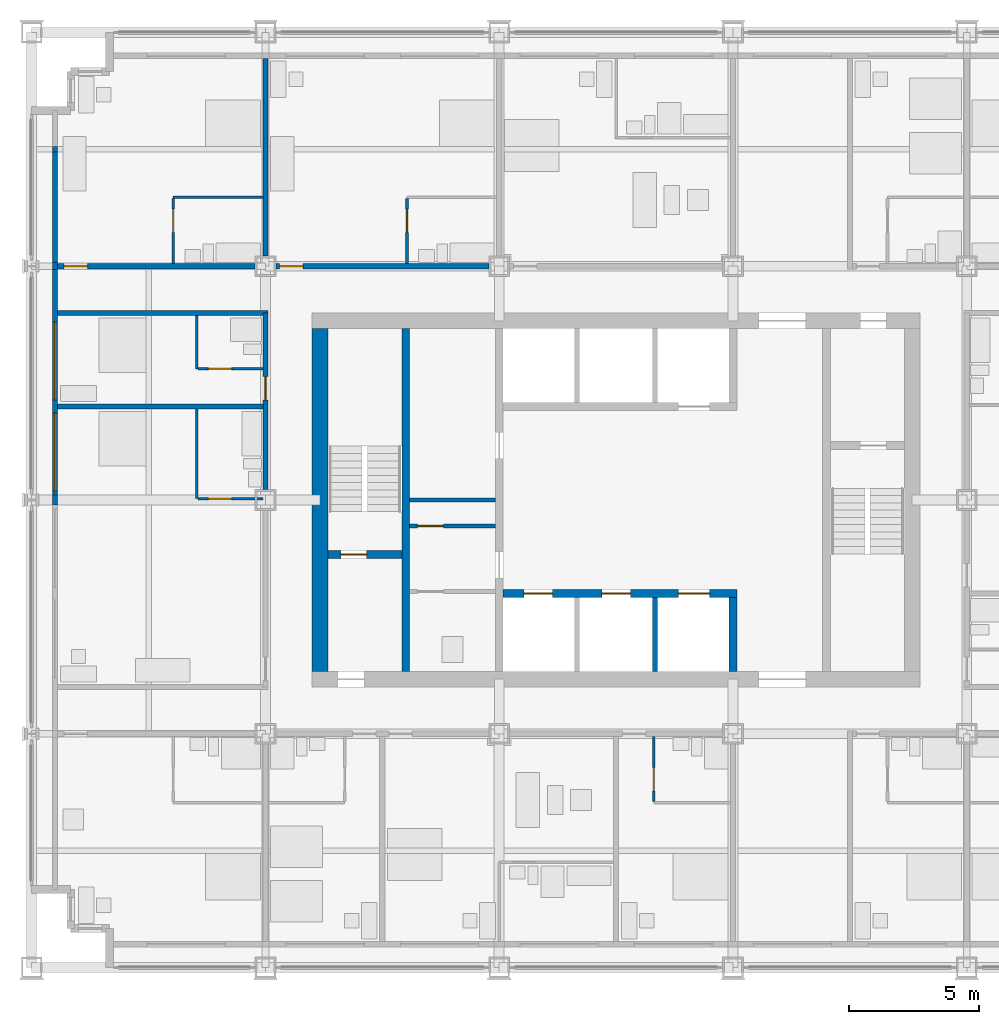
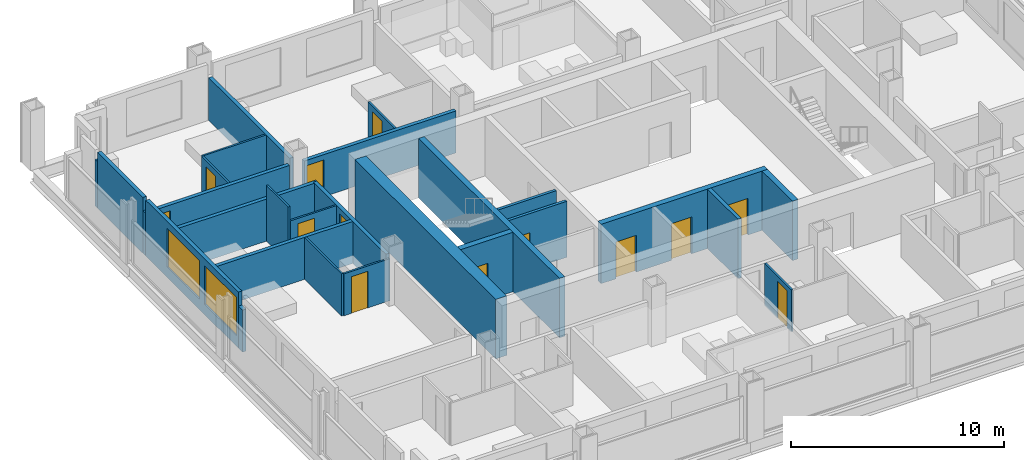
# One storey, part 10 of 16: 27 walls, 13 doors, 2 windows, 15 openings.
"""IFC4 building model written with IfcOpenShell, lengths in metres."""

import ifcopenshell
import ifcopenshell.guid

model = None  # the IFC model being written
_history = None  # IfcOwnerHistory: only IFC2X3 demands one
_inside = {}  # id of a spatial element -> (the spatial element, [elements in it])
_under = {}  # id of a project, library or spatial element -> (it, [spatial elements below it])
_declared = {}  # id of a project -> (the project, [libraries it declares])
_typed = {}  # id of a type object -> (the type object, [elements of that type])
_made_of = {}  # id of a material, layer set ... -> (it, [elements and type objects made of it])


def new_model(schema):
    """Start an empty IFC model of exactly this schema.

    Asked for "IFC4X3", IfcOpenShell would pick the latest addendum, in which some entities
    have other attributes; the version numbers below select the first issue.
    IFC2X3 requires an IfcOwnerHistory on every rooted entity: one is made here for all.
    """
    global model, _history
    if schema == "IFC4X3":
        model = ifcopenshell.file(schema_version=(4, 3, 0, 0))
    else:
        model = ifcopenshell.file(schema=schema)
    _inside.clear()
    _under.clear()
    _declared.clear()
    _typed.clear()
    _made_of.clear()
    _history = None
    if model.schema == "IFC2X3":
        org = make("IfcOrganization", Name="unknown")
        user = make(
            "IfcPersonAndOrganization",
            ThePerson=make("IfcPerson", FamilyName="unknown"),
            TheOrganization=org,
        )
        app = make(
            "IfcApplication",
            ApplicationDeveloper=org,
            Version="unknown",
            ApplicationFullName="unknown",
            ApplicationIdentifier="unknown",
        )
        _history = make(
            "IfcOwnerHistory",
            OwningUser=user,
            OwningApplication=app,
            ChangeAction="ADDED",
            CreationDate=0,
        )
    return model


def make(cls, **values):
    """One entity of the class cls with the attributes given. An attribute that is None is left unset."""
    return model.create_entity(
        cls, **{name: value for name, value in values.items() if value is not None}
    )


def rooted(cls, **values):
    """An entity with a GlobalId (a new one), such as an element, a storey or a relation."""
    return make(cls, GlobalId=ifcopenshell.guid.new(), OwnerHistory=_history, **values)


def si_unit(unit_type, name, prefix=None):
    """IfcSIUnit, for example si_unit("LENGTHUNIT", "METRE", prefix="MILLI")."""
    return make("IfcSIUnit", UnitType=unit_type, Prefix=prefix, Name=name)


def assignment(units):
    """IfcUnitAssignment: the units of a project."""
    return None if units is None else make("IfcUnitAssignment", Units=units)


def point(xyz):
    """IfcCartesianPoint."""
    return None if xyz is None else make("IfcCartesianPoint", Coordinates=xyz)


def direction(xyz):
    """IfcDirection."""
    return None if xyz is None else make("IfcDirection", DirectionRatios=xyz)


def frame(location, z_axis=None, x_axis=None):
    """IfcAxis2Placement3D, a coordinate frame: its origin and axes. An axis left out is left unset."""
    return make(
        "IfcAxis2Placement3D",
        Location=point(location),
        Axis=direction(z_axis),
        RefDirection=direction(x_axis),
    )


def frame_2d(location, x_axis=None):
    """IfcAxis2Placement2D, a coordinate frame in the plane: its origin and x axis."""
    return make(
        "IfcAxis2Placement2D", Location=point(location), RefDirection=direction(x_axis)
    )


def origin():
    """The frame at (0, 0, 0) with its axes left unset."""
    return frame((0.0, 0.0, 0.0))


def place(relative_to, where):
    """IfcLocalPlacement: puts the frame where relative to a parent placement (None: the world)."""
    return make(
        "IfcLocalPlacement", PlacementRelTo=relative_to, RelativePlacement=where
    )


def context(
    kind, dimensions, precision=None, world=None, true_north=None, identifier=None
):
    """IfcGeometricRepresentationContext, for example the 3D "Model" context."""
    return make(
        "IfcGeometricRepresentationContext",
        ContextIdentifier=identifier,
        ContextType=kind,
        CoordinateSpaceDimension=dimensions,
        Precision=precision,
        WorldCoordinateSystem=world,
        TrueNorth=true_north,
    )


def subcontext(parent, identifier, kind, view, scale=None):
    """IfcGeometricRepresentationSubContext, for example "Body" below "Model"."""
    return make(
        "IfcGeometricRepresentationSubContext",
        ContextIdentifier=identifier,
        ContextType=kind,
        ParentContext=parent,
        TargetScale=scale,
        TargetView=view,
    )


def project(units=None, contexts=None):
    """IfcProject with its units and contexts."""
    return rooted(
        "IfcProject",
        Name="project",
        RepresentationContexts=contexts,
        UnitsInContext=assignment(units),
    )


def spatial(cls, under=None, at=None, **own):
    """A site, building, storey or space (cls), placed at a placement, below another one or the project."""
    s = rooted(cls, ObjectPlacement=at, **own)
    if under is not None:
        _under.setdefault(under.id(), (under, []))[1].append(s)
    return s


def profile(cls, at=None, kind="AREA", **sizes):
    """A parametric profile (cls). Its sizes go by their IFC names, for example OverallWidth=200.0."""
    return make(cls, ProfileType=kind, Position=at, **sizes)


def rectangle(**sizes):
    """IfcRectangleProfileDef."""
    return profile("IfcRectangleProfileDef", **sizes)


def extrude(swept, where, along, depth):
    """IfcExtrudedAreaSolid: the profile swept, set in the frame where, extruded along a direction by depth."""
    return make(
        "IfcExtrudedAreaSolid",
        SweptArea=swept,
        Position=where,
        ExtrudedDirection=direction(along),
        Depth=depth,
    )


def shape(context_of_items, identifier, shape_type, items):
    """IfcShapeRepresentation: the items that make up one representation, for example the "Body"."""
    return make(
        "IfcShapeRepresentation",
        ContextOfItems=context_of_items,
        RepresentationIdentifier=identifier,
        RepresentationType=shape_type,
        Items=items,
    )


def material(Name=None, Category=None):
    """IfcMaterial."""
    return make("IfcMaterial", Name=Name, Category=Category)


def layer(
    of_material, thickness, ventilated=None, Name=None, Category=None, Priority=None
):
    """IfcMaterialLayer: one layer of a wall or slab, of a material (None: an air gap)."""
    return make(
        "IfcMaterialLayer",
        Material=of_material,
        LayerThickness=thickness,
        IsVentilated=ventilated,
        Name=Name,
        Category=Category,
        Priority=Priority,
    )


def layer_set(layers, Name=None):
    """IfcMaterialLayerSet."""
    return make("IfcMaterialLayerSet", MaterialLayers=layers, LayerSetName=Name)


def made_of(thing, what):
    """Note that an element or type object is made of a material, layer set ...; save() writes the relation."""
    if what is not None:
        _made_of.setdefault(what.id(), (what, []))[1].append(thing)
    return thing


def type_object(cls, material=None, **own):
    """A type object (cls), such as IfcWallType, which elements share."""
    return made_of(rooted(cls, **own), material)


def element(
    cls,
    number,
    at=None,
    inside=None,
    cuts=None,
    type_object=None,
    material=None,
    context=None,
    identifier="Body",
    shape_type=None,
    held_by="IfcProductDefinitionShape",
    body=None,
    shapes=None,
    **own,
):
    """One element of the class cls, such as IfcWall. Its Tag is "e" and its number.

    at: its placement. inside: the storey or other place that contains it. cuts: it is an
    opening in that element (IfcRelVoidsElement). A single representation is given by context,
    identifier, shape_type and body (its items); several are given by shapes. held_by: the class
    of the entity that holds the representations. save() writes the other relations.
    """
    e = rooted(cls, Tag="e%d" % number, ObjectPlacement=at, **own)
    if body is not None:
        shapes = [shape(context, identifier, shape_type, body)]
    if shapes is not None:
        e.Representation = make(held_by, Representations=shapes)
    if inside is not None:
        _inside.setdefault(inside.id(), (inside, []))[1].append(e)
    if cuts is not None:
        rooted(
            "IfcRelVoidsElement", RelatingBuildingElement=cuts, RelatedOpeningElement=e
        )
    if type_object is not None:
        _typed.setdefault(type_object.id(), (type_object, []))[1].append(e)
    return made_of(e, material)


def fill(opening, filler):
    """IfcRelFillsElement: the door or window that sits in an opening."""
    return rooted(
        "IfcRelFillsElement",
        RelatingOpeningElement=opening,
        RelatedBuildingElement=filler,
    )


def aggregate(whole, parts):
    """IfcRelAggregates: a whole, such as a stair, and the parts it consists of."""
    return rooted("IfcRelAggregates", RelatingObject=whole, RelatedObjects=parts)


def save(model, path):
    """Write the relations noted so far, then the file.

    IfcRelAggregates (storeys below a building ...), IfcRelContainedInSpatialStructure (elements
    in a storey), IfcRelDefinesByType, IfcRelAssociatesMaterial and IfcRelDeclares: one each for
    every whole, place, type object, material and project.
    """
    for whole, parts in _under.values():
        aggregate(whole, parts)
    for where, things in _inside.values():
        rooted(
            "IfcRelContainedInSpatialStructure",
            RelatedElements=things,
            RelatingStructure=where,
        )
    for kind, things in _typed.values():
        rooted("IfcRelDefinesByType", RelatedObjects=things, RelatingType=kind)
    for what, things in _made_of.values():
        rooted("IfcRelAssociatesMaterial", RelatedObjects=things, RelatingMaterial=what)
    for by, libraries in _declared.values():
        rooted("IfcRelDeclares", RelatingContext=by, RelatedDefinitions=libraries)
    model.write(path)


model = new_model("IFC4")

# Units and contexts
model_context = context("Model", 3, precision=1e-05, world=origin(), true_north=direction((0.0, 1.0)))
body_context = subcontext(model_context, "Body", "Model", "MODEL_VIEW")
ifc_project = project(units=[si_unit("LENGTHUNIT", "METRE"), si_unit("AREAUNIT", "SQUARE_METRE"), si_unit("VOLUMEUNIT", "CUBIC_METRE"), si_unit("PLANEANGLEUNIT", "RADIAN"), si_unit("MASSUNIT", "GRAM", prefix="KILO")], contexts=[model_context])

# Site, building, storey
site_placement = place(None, origin())
site = spatial("IfcSite", under=ifc_project, at=site_placement, CompositionType="ELEMENT")
building_placement = place(site_placement, origin())
building = spatial("IfcBuilding", under=site, at=building_placement, Name="Loomwork Tower", CompositionType="ELEMENT")
storey_placement = place(building_placement, frame((0.0, 0.0, 118.0)))
storey = spatial("IfcBuildingStorey", under=building, at=storey_placement, Name="L31", CompositionType="ELEMENT", Elevation=118.0)

# Wall
ifc_material_1 = material(Name="Concrete 14000 psi (97 MPa)", Category="concrete")
ifc_layer_1 = layer(ifc_material_1, 0.300048828125)
ifc_layer_set_1 = layer_set([ifc_layer_1], Name="Core shear wall 300")
wall_type_1 = type_object("IfcWallType", Name="Core shear wall 300", PredefinedType="SHEAR", material=ifc_layer_set_1)
wall_1_placement = place(storey_placement, frame((14.39990234375, 11.39990234375, 0.0), z_axis=(0.0, 0.0, 1.0), x_axis=(0.0, 1.0, 0.0)))
element("IfcWall", 1, at=wall_1_placement, inside=storey, type_object=wall_type_1, Name="Stair A east wall L31", PredefinedType="SHEAR", context=body_context, shape_type="SweptSolid", body=[
    extrude(rectangle(XDim=13.2001953125, YDim=0.300048828125, at=frame_2d((6.60009765625, 0.0))), origin(), (0.0, 0.0, 1.0), 3.39990234375),
])

# Wall, opening, door
wall_2_placement = place(storey_placement, frame((11.39990234375, 15.89990234375, 0.0), z_axis=(0.0, 0.0, 1.0), x_axis=(1.0, 0.0, 0.0)))
wall_2 = element("IfcWall", 2, at=wall_2_placement, inside=storey, type_object=wall_type_1, Name="Stair A south wall L31", PredefinedType="SHEAR", context=body_context, shape_type="SweptSolid", body=[
    extrude(rectangle(XDim=2.85009765625, YDim=0.300048828125, at=frame_2d((1.425048828125, 0.0))), origin(), (0.0, 0.0, 1.0), 3.39990234375),
])
opening_1_placement = place(wall_2_placement, frame((0.5, 0.0, 0.0)))
opening_1 = element("IfcOpeningElement", 3, at=opening_1_placement, cuts=wall_2, Name="Opening D4", PredefinedType="OPENING", context=body_context, shape_type="SweptSolid", body=[
    extrude(rectangle(XDim=1.0, YDim=2.10009765625, at=frame_2d((0.5, 1.050048828125))), frame((0.0, 0.159912109375, 0.0), z_axis=(0.0, -1.0, 0.0), x_axis=(1.0, 0.0, 0.0)), (0.0, 0.0, 1.0), 0.320068359375),
])
ifc_material_2 = material(Name="Hollow metal door and frame")
door_type_1 = type_object("IfcDoorType", Name="Stair door 1000", OperationType="SINGLE_SWING_RIGHT", PredefinedType="DOOR", material=ifc_material_2)
door_1_placement = place(opening_1_placement, origin())
door_1 = element("IfcDoor", 4, at=door_1_placement, inside=storey, type_object=door_type_1, Name="Stair A door", OperationType="SINGLE_SWING_LEFT", OverallHeight=2.10009765625, OverallWidth=1.0, PredefinedType="DOOR", context=body_context, shape_type="SweptSolid", body=[
    extrude(rectangle(XDim=1.0, YDim=2.10009765625, at=frame_2d((0.5, 1.050048828125))), frame((0.0, 0.02490234375, 0.0), z_axis=(0.0, -1.0, 0.0), x_axis=(1.0, 0.0, 0.0)), (0.0, 0.0, 1.0), 0.050048828125),
])
fill(opening_1, door_1)

# Wall, openings, doors
wall_3_placement = place(storey_placement, frame((18.14990234375, 14.39990234375, 0.0), z_axis=(0.0, 0.0, 1.0), x_axis=(1.0, 0.0, 0.0)))
wall_3 = element("IfcWall", 5, at=wall_3_placement, inside=storey, type_object=wall_type_1, Name="Lift front wall south L31", PredefinedType="SHEAR", context=body_context, shape_type="SweptSolid", body=[
    extrude(rectangle(XDim=9.0, YDim=0.300048828125, at=frame_2d((4.5, 0.0))), origin(), (0.0, 0.0, 1.0), 3.39990234375),
])
opening_2_placement = place(wall_3_placement, frame((0.800048828125, 0.0, 0.0)))
opening_2 = element("IfcOpeningElement", 6, at=opening_2_placement, cuts=wall_3, Name="Opening LD1", PredefinedType="OPENING", context=body_context, shape_type="SweptSolid", body=[
    extrude(rectangle(XDim=1.10009765625, YDim=2.10009765625, at=frame_2d((0.550048828125, 1.050048828125))), frame((0.0, 0.159912109375, 0.0), z_axis=(0.0, -1.0, 0.0), x_axis=(1.0, 0.0, 0.0)), (0.0, 0.0, 1.0), 0.320068359375),
])
opening_3_placement = place(wall_3_placement, frame((3.800048828125, 0.0, 0.0)))
opening_3 = element("IfcOpeningElement", 7, at=opening_3_placement, cuts=wall_3, Name="Opening LD1", PredefinedType="OPENING", context=body_context, shape_type="SweptSolid", body=[
    extrude(rectangle(XDim=1.10009765625, YDim=2.10009765625, at=frame_2d((0.550048828125, 1.050048828125))), frame((0.0, 0.159912109375, 0.0), z_axis=(0.0, -1.0, 0.0), x_axis=(1.0, 0.0, 0.0)), (0.0, 0.0, 1.0), 0.320068359375),
])
opening_4_placement = place(wall_3_placement, frame((6.75, 0.0, 0.0)))
opening_4 = element("IfcOpeningElement", 8, at=opening_4_placement, cuts=wall_3, Name="Opening LD2", PredefinedType="OPENING", context=body_context, shape_type="SweptSolid", body=[
    extrude(rectangle(XDim=1.199951171875, YDim=2.10009765625, at=frame_2d((0.60009765625, 1.050048828125))), frame((0.0, 0.159912109375, 0.0), z_axis=(0.0, -1.0, 0.0), x_axis=(1.0, 0.0, 0.0)), (0.0, 0.0, 1.0), 0.320068359375),
])
ifc_material_3 = material(Name="Hollow metal door and frame")
door_type_2 = type_object("IfcDoorType", Name="Lift landing door 1100", OperationType="SLIDING_TO_LEFT", PredefinedType="DOOR", material=ifc_material_3)
door_2_placement = place(opening_2_placement, origin())
door_2 = element("IfcDoor", 9, at=door_2_placement, inside=storey, type_object=door_type_2, Name="Lift landing door LB1", OperationType="SLIDING_TO_LEFT", OverallHeight=2.10009765625, OverallWidth=1.10009765625, PredefinedType="DOOR", context=body_context, shape_type="SweptSolid", body=[
    extrude(rectangle(XDim=1.10009765625, YDim=2.10009765625, at=frame_2d((0.550048828125, 1.050048828125))), frame((0.0, 0.02490234375, 0.0), z_axis=(0.0, -1.0, 0.0), x_axis=(1.0, 0.0, 0.0)), (0.0, 0.0, 1.0), 0.050048828125),
])
fill(opening_2, door_2)
door_3_placement = place(opening_3_placement, origin())
door_3 = element("IfcDoor", 10, at=door_3_placement, inside=storey, type_object=door_type_2, Name="Lift landing door LB2", OperationType="SLIDING_TO_LEFT", OverallHeight=2.10009765625, OverallWidth=1.10009765625, PredefinedType="DOOR", context=body_context, shape_type="SweptSolid", body=[
    extrude(rectangle(XDim=1.10009765625, YDim=2.10009765625, at=frame_2d((0.550048828125, 1.050048828125))), frame((0.0, 0.02490234375, 0.0), z_axis=(0.0, -1.0, 0.0), x_axis=(1.0, 0.0, 0.0)), (0.0, 0.0, 1.0), 0.050048828125),
])
fill(opening_3, door_3)
ifc_material_4 = material(Name="Hollow metal door and frame")
door_type_3 = type_object("IfcDoorType", Name="Lift landing door 1200", OperationType="SLIDING_TO_LEFT", PredefinedType="DOOR", material=ifc_material_4)
door_4_placement = place(opening_4_placement, origin())
door_4 = element("IfcDoor", 11, at=door_4_placement, inside=storey, type_object=door_type_3, Name="Lift landing door LF1", OperationType="SLIDING_TO_LEFT", OverallHeight=2.10009765625, OverallWidth=1.199951171875, PredefinedType="DOOR", context=body_context, shape_type="SweptSolid", body=[
    extrude(rectangle(XDim=1.199951171875, YDim=2.10009765625, at=frame_2d((0.60009765625, 1.050048828125))), frame((0.0, 0.02490234375, 0.0), z_axis=(0.0, -1.0, 0.0), x_axis=(1.0, 0.0, 0.0)), (0.0, 0.0, 1.0), 0.050048828125),
])
fill(opening_4, door_4)

# Walls
wall_4_placement = place(storey_placement, frame((27.0, 11.39990234375, 0.0), z_axis=(0.0, 0.0, 1.0), x_axis=(0.0, 1.0, 0.0)))
element("IfcWall", 12, at=wall_4_placement, inside=storey, type_object=wall_type_1, Name="Lift shaft end wall south L31", PredefinedType="SHEAR", context=body_context, shape_type="SweptSolid", body=[
    extrude(rectangle(XDim=2.85009765625, YDim=0.300048828125, at=frame_2d((1.425048828125, 0.0))), origin(), (0.0, 0.0, 1.0), 3.39990234375),
])
ifc_material_5 = material(Name="Concrete 14000 psi (97 MPa)", Category="concrete")
ifc_layer_2 = layer(ifc_material_5, 0.60009765625)
ifc_layer_set_2 = layer_set([ifc_layer_2], Name="Core shear wall 600")
wall_type_2 = type_object("IfcWallType", Name="Core shear wall 600", PredefinedType="SHEAR", material=ifc_layer_set_2)
wall_5_placement = place(storey_placement, frame((11.10009765625, 11.39990234375, 0.0), z_axis=(0.0, 0.0, 1.0), x_axis=(0.0, 1.0, 0.0)))
element("IfcWall", 13, at=wall_5_placement, inside=storey, type_object=wall_type_2, Name="Core wall west L31", PredefinedType="SHEAR", context=body_context, shape_type="SweptSolid", body=[
    extrude(rectangle(XDim=13.2001953125, YDim=0.60009765625, at=frame_2d((6.60009765625, 0.0))), origin(), (0.0, 0.0, 1.0), 3.39990234375),
])

# Wall, opening, door
ifc_material_6 = material(Name="Gypsum board on steel studs, one-hour", Category="steel")
ifc_layer_3 = layer(ifc_material_6, 0.199951171875)
ifc_layer_set_3 = layer_set([ifc_layer_3], Name="Corridor wall 200")
wall_type_3 = type_object("IfcWallType", Name="Corridor wall 200", PredefinedType="PARTITIONING", material=ifc_layer_set_3)
wall_6_placement = place(storey_placement, frame((1.0, 27.0, 0.0), z_axis=(0.0, 0.0, 1.0), x_axis=(1.0, 0.0, 0.0)))
wall_6 = element("IfcWall", 14, at=wall_6_placement, inside=storey, type_object=wall_type_3, Name="North corridor wall 1", PredefinedType="PARTITIONING", context=body_context, shape_type="SweptSolid", body=[
    extrude(rectangle(XDim=7.60009765625, YDim=0.199951171875, at=frame_2d((3.800048828125, 0.0))), origin(), (0.0, 0.0, 1.0), 2.43798828125),
])
opening_5_placement = place(wall_6_placement, frame((0.25, 0.0, 0.0)))
opening_5 = element("IfcOpeningElement", 15, at=opening_5_placement, cuts=wall_6, Name="Opening D1", PredefinedType="OPENING", context=body_context, shape_type="SweptSolid", body=[
    extrude(rectangle(XDim=0.89990234375, YDim=2.10009765625, at=frame_2d((0.449951171875, 1.050048828125))), frame((0.0, 0.10986328125, 0.0), z_axis=(0.0, -1.0, 0.0), x_axis=(1.0, 0.0, 0.0)), (0.0, 0.0, 1.0), 0.219970703125),
])
ifc_material_7 = material(Name="Hollow metal door and frame")
door_type_4 = type_object("IfcDoorType", Name="Guest room entry door 900", OperationType="SINGLE_SWING_LEFT", PredefinedType="DOOR", material=ifc_material_7)
door_5_placement = place(opening_5_placement, origin())
door_5 = element("IfcDoor", 16, at=door_5_placement, inside=storey, type_object=door_type_4, Name="Guest room entry door L31 7", OperationType="SINGLE_SWING_LEFT", OverallHeight=2.10009765625, OverallWidth=0.89990234375, PredefinedType="DOOR", context=body_context, shape_type="SweptSolid", body=[
    extrude(rectangle(XDim=0.89990234375, YDim=2.10009765625, at=frame_2d((0.449951171875, 1.050048828125))), frame((0.0, 0.02490234375, 0.0), z_axis=(0.0, -1.0, 0.0), x_axis=(1.0, 0.0, 0.0)), (0.0, 0.0, 1.0), 0.050048828125),
])
fill(opening_5, door_5)

wall_7_placement = place(storey_placement, frame((9.39990234375, 27.0, 0.0), z_axis=(0.0, 0.0, 1.0), x_axis=(1.0, 0.0, 0.0)))
wall_7 = element("IfcWall", 17, at=wall_7_placement, inside=storey, type_object=wall_type_3, Name="North corridor wall 2", PredefinedType="PARTITIONING", context=body_context, shape_type="SweptSolid", body=[
    extrude(rectangle(XDim=8.2001953125, YDim=0.199951171875, at=frame_2d((4.10009765625, 0.0))), origin(), (0.0, 0.0, 1.0), 2.405029296875),
])
opening_6_placement = place(wall_7_placement, frame((0.14990234375, 0.0, 0.0)))
opening_6 = element("IfcOpeningElement", 18, at=opening_6_placement, cuts=wall_7, Name="Opening D1", PredefinedType="OPENING", context=body_context, shape_type="SweptSolid", body=[
    extrude(rectangle(XDim=0.89990234375, YDim=2.10009765625, at=frame_2d((0.449951171875, 1.050048828125))), frame((0.0, 0.10986328125, 0.0), z_axis=(0.0, -1.0, 0.0), x_axis=(1.0, 0.0, 0.0)), (0.0, 0.0, 1.0), 0.219970703125),
])
door_6_placement = place(opening_6_placement, origin())
door_6 = element("IfcDoor", 19, at=door_6_placement, inside=storey, type_object=door_type_4, Name="Guest room entry door L31 8", OperationType="SINGLE_SWING_LEFT", OverallHeight=2.10009765625, OverallWidth=0.89990234375, PredefinedType="DOOR", context=body_context, shape_type="SweptSolid", body=[
    extrude(rectangle(XDim=0.89990234375, YDim=2.10009765625, at=frame_2d((0.449951171875, 1.050048828125))), frame((0.0, 0.02490234375, 0.0), z_axis=(0.0, -1.0, 0.0), x_axis=(1.0, 0.0, 0.0)), (0.0, 0.0, 1.0), 0.050048828125),
])
fill(opening_6, door_6)

wall_8_placement = place(storey_placement, frame((9.0, 18.39990234375, 0.0), z_axis=(0.0, 0.0, 1.0), x_axis=(0.0, 1.0, 0.0)))
wall_8 = element("IfcWall", 20, at=wall_8_placement, inside=storey, type_object=wall_type_3, Name="West corridor wall 2", PredefinedType="PARTITIONING", context=body_context, shape_type="SweptSolid", body=[
    extrude(rectangle(XDim=6.800048828125, YDim=0.199951171875, at=frame_2d((3.39990234375, 0.0))), origin(), (0.0, 0.0, 1.0), 2.405029296875),
])
opening_7_placement = place(wall_8_placement, frame((3.449951171875, 0.0, 0.0)))
opening_7 = element("IfcOpeningElement", 21, at=opening_7_placement, cuts=wall_8, Name="Opening D1", PredefinedType="OPENING", context=body_context, shape_type="SweptSolid", body=[
    extrude(rectangle(XDim=0.89990234375, YDim=2.10009765625, at=frame_2d((0.449951171875, 1.050048828125))), frame((0.0, 0.10986328125, 0.0), z_axis=(0.0, -1.0, 0.0), x_axis=(1.0, 0.0, 0.0)), (0.0, 0.0, 1.0), 0.219970703125),
])
door_7_placement = place(opening_7_placement, origin())
door_7 = element("IfcDoor", 22, at=door_7_placement, inside=storey, type_object=door_type_4, Name="Guest room entry door L31 13", OperationType="SINGLE_SWING_LEFT", OverallHeight=2.10009765625, OverallWidth=0.89990234375, PredefinedType="DOOR", context=body_context, shape_type="SweptSolid", body=[
    extrude(rectangle(XDim=0.89990234375, YDim=2.10009765625, at=frame_2d((0.449951171875, 1.050048828125))), frame((0.0, 0.02490234375, 0.0), z_axis=(0.0, -1.0, 0.0), x_axis=(1.0, 0.0, 0.0)), (0.0, 0.0, 1.0), 0.050048828125),
])
fill(opening_7, door_7)

# Wall
wall_9_placement = place(storey_placement, frame((1.0, 25.199951171875, 0.0), z_axis=(0.0, 0.0, 1.0), x_axis=(1.0, 0.0, 0.0)))
element("IfcWall", 23, at=wall_9_placement, inside=storey, type_object=wall_type_3, Name="West band end wall N", PredefinedType="PARTITIONING", context=body_context, shape_type="SweptSolid", body=[
    extrude(rectangle(XDim=8.10009765625, YDim=0.199951171875, at=frame_2d((4.050048828125, 0.0))), origin(), (0.0, 0.0, 1.0), 2.404052734375),
])

# Wall, opening, door
ifc_material_8 = material(Name="Cement board on steel studs", Category="steel")
ifc_layer_4 = layer(ifc_material_8, 0.10009765625)
ifc_layer_set_4 = layer_set([ifc_layer_4], Name="En-suite partition 100")
wall_type_4 = type_object("IfcWallType", Name="En-suite partition 100", PredefinedType="PARTITIONING", material=ifc_layer_set_4)
wall_10_placement = place(storey_placement, frame((23.949951171875, 8.89990234375, 0.0), z_axis=(0.0, 0.0, 1.0), x_axis=(0.0, -1.0, 0.0)))
wall_10 = element("IfcWall", 24, at=wall_10_placement, inside=storey, type_object=wall_type_4, Name="En-suite side wall L31 room 4", PredefinedType="PARTITIONING", context=body_context, shape_type="SweptSolid", body=[
    extrude(rectangle(XDim=2.5, YDim=0.10009765625, at=frame_2d((1.25, 0.0))), origin(), (0.0, 0.0, 1.0), 2.404052734375),
])
opening_8_placement = place(wall_10_placement, frame((1.199951171875, 0.0, 0.0)))
opening_8 = element("IfcOpeningElement", 25, at=opening_8_placement, cuts=wall_10, Name="Opening D2", PredefinedType="OPENING", context=body_context, shape_type="SweptSolid", body=[
    extrude(rectangle(XDim=0.89990234375, YDim=2.10009765625, at=frame_2d((0.449951171875, 1.050048828125))), frame((0.0, 0.06005859375, 0.0), z_axis=(0.0, -1.0, 0.0), x_axis=(1.0, 0.0, 0.0)), (0.0, 0.0, 1.0), 0.1201171875),
])
ifc_material_9 = material(Name="Hollow metal door and frame")
door_type_5 = type_object("IfcDoorType", Name="En-suite door 900", OperationType="SINGLE_SWING_LEFT", PredefinedType="DOOR", material=ifc_material_9)
door_8_placement = place(opening_8_placement, origin())
door_8 = element("IfcDoor", 26, at=door_8_placement, inside=storey, type_object=door_type_5, Name="En-suite door room 4", OperationType="SINGLE_SWING_RIGHT", OverallHeight=2.10009765625, OverallWidth=0.89990234375, PredefinedType="DOOR", context=body_context, shape_type="SweptSolid", body=[
    extrude(rectangle(XDim=0.89990234375, YDim=2.10009765625, at=frame_2d((0.449951171875, 1.050048828125))), frame((0.0, 0.02490234375, 0.0), z_axis=(0.0, -1.0, 0.0), x_axis=(1.0, 0.0, 0.0)), (0.0, 0.0, 1.0), 0.050048828125),
])
fill(opening_8, door_8)

# Wall
wall_11_placement = place(storey_placement, frame((5.449951171875, 29.64990234375, 0.0), z_axis=(0.0, 0.0, 1.0), x_axis=(1.0, 0.0, 0.0)))
element("IfcWall", 27, at=wall_11_placement, inside=storey, type_object=wall_type_4, Name="En-suite wall L31 room 7", PredefinedType="PARTITIONING", context=body_context, shape_type="SweptSolid", body=[
    extrude(rectangle(XDim=3.449951171875, YDim=0.10009765625, at=frame_2d((1.72509765625, 0.0))), origin(), (0.0, 0.0, 1.0), 2.43798828125),
])

# Wall, opening, door
wall_12_placement = place(storey_placement, frame((5.449951171875, 27.10009765625, 0.0), z_axis=(0.0, 0.0, 1.0), x_axis=(0.0, 1.0, 0.0)))
wall_12 = element("IfcWall", 28, at=wall_12_placement, inside=storey, type_object=wall_type_4, Name="En-suite side wall L31 room 7", PredefinedType="PARTITIONING", context=body_context, shape_type="SweptSolid", body=[
    extrude(rectangle(XDim=2.5, YDim=0.10009765625, at=frame_2d((1.25, 0.0))), origin(), (0.0, 0.0, 1.0), 2.43798828125),
])
opening_9_placement = place(wall_12_placement, frame((1.199951171875, 0.0, 0.0)))
opening_9 = element("IfcOpeningElement", 29, at=opening_9_placement, cuts=wall_12, Name="Opening D2", PredefinedType="OPENING", context=body_context, shape_type="SweptSolid", body=[
    extrude(rectangle(XDim=0.89990234375, YDim=2.10009765625, at=frame_2d((0.449951171875, 1.050048828125))), frame((0.0, 0.06005859375, 0.0), z_axis=(0.0, -1.0, 0.0), x_axis=(1.0, 0.0, 0.0)), (0.0, 0.0, 1.0), 0.1201171875),
])
door_9_placement = place(opening_9_placement, frame((0.89990234375, 0.0, 0.0), z_axis=(0.0, 0.0, 1.0), x_axis=(-1.0, 0.0, 0.0)))
door_9 = element("IfcDoor", 30, at=door_9_placement, inside=storey, type_object=door_type_5, Name="En-suite door room 7", OperationType="SINGLE_SWING_LEFT", OverallHeight=2.10009765625, OverallWidth=0.89990234375, PredefinedType="DOOR", context=body_context, shape_type="SweptSolid", body=[
    extrude(rectangle(XDim=0.89990234375, YDim=2.10009765625, at=frame_2d((0.449951171875, 1.050048828125))), frame((0.0, 0.02490234375, 0.0), z_axis=(0.0, -1.0, 0.0), x_axis=(1.0, 0.0, 0.0)), (0.0, 0.0, 1.0), 0.050048828125),
])
fill(opening_9, door_9)

wall_13_placement = place(storey_placement, frame((14.449951171875, 27.10009765625, 0.0), z_axis=(0.0, 0.0, 1.0), x_axis=(0.0, 1.0, 0.0)))
wall_13 = element("IfcWall", 31, at=wall_13_placement, inside=storey, type_object=wall_type_4, Name="En-suite side wall L31 room 8", PredefinedType="PARTITIONING", context=body_context, shape_type="SweptSolid", body=[
    extrude(rectangle(XDim=2.5, YDim=0.10009765625, at=frame_2d((1.25, 0.0))), origin(), (0.0, 0.0, 1.0), 2.404052734375),
])
opening_10_placement = place(wall_13_placement, frame((1.199951171875, 0.0, 0.0)))
opening_10 = element("IfcOpeningElement", 32, at=opening_10_placement, cuts=wall_13, Name="Opening D2", PredefinedType="OPENING", context=body_context, shape_type="SweptSolid", body=[
    extrude(rectangle(XDim=0.89990234375, YDim=2.10009765625, at=frame_2d((0.449951171875, 1.050048828125))), frame((0.0, 0.06005859375, 0.0), z_axis=(0.0, -1.0, 0.0), x_axis=(1.0, 0.0, 0.0)), (0.0, 0.0, 1.0), 0.1201171875),
])
door_10_placement = place(opening_10_placement, frame((0.89990234375, 0.0, 0.0), z_axis=(0.0, 0.0, 1.0), x_axis=(-1.0, 0.0, 0.0)))
door_10 = element("IfcDoor", 33, at=door_10_placement, inside=storey, type_object=door_type_5, Name="En-suite door room 8", OperationType="SINGLE_SWING_LEFT", OverallHeight=2.10009765625, OverallWidth=0.89990234375, PredefinedType="DOOR", context=body_context, shape_type="SweptSolid", body=[
    extrude(rectangle(XDim=0.89990234375, YDim=2.10009765625, at=frame_2d((0.449951171875, 1.050048828125))), frame((0.0, 0.02490234375, 0.0), z_axis=(0.0, -1.0, 0.0), x_axis=(1.0, 0.0, 0.0)), (0.0, 0.0, 1.0), 0.050048828125),
])
fill(opening_10, door_10)

# Wall
wall_14_placement = place(storey_placement, frame((6.35009765625, 18.050048828125, 0.0), z_axis=(0.0, 0.0, 1.0), x_axis=(0.0, 1.0, 0.0)))
element("IfcWall", 34, at=wall_14_placement, inside=storey, type_object=wall_type_4, Name="En-suite wall L31 room 12", PredefinedType="PARTITIONING", context=body_context, shape_type="SweptSolid", body=[
    extrude(rectangle(XDim=3.449951171875, YDim=0.10009765625, at=frame_2d((1.72509765625, 0.0))), origin(), (0.0, 0.0, 1.0), 2.404052734375),
])

# Wall, opening, door
wall_15_placement = place(storey_placement, frame((8.89990234375, 18.050048828125, 0.0), z_axis=(0.0, 0.0, 1.0), x_axis=(-1.0, 0.0, 0.0)))
wall_15 = element("IfcWall", 35, at=wall_15_placement, inside=storey, type_object=wall_type_4, Name="En-suite side wall L31 room 12", PredefinedType="PARTITIONING", context=body_context, shape_type="SweptSolid", body=[
    extrude(rectangle(XDim=2.5, YDim=0.10009765625, at=frame_2d((1.25, 0.0))), origin(), (0.0, 0.0, 1.0), 2.405029296875),
])
opening_11_placement = place(wall_15_placement, frame((1.199951171875, 0.0, 0.0)))
opening_11 = element("IfcOpeningElement", 36, at=opening_11_placement, cuts=wall_15, Name="Opening D2", PredefinedType="OPENING", context=body_context, shape_type="SweptSolid", body=[
    extrude(rectangle(XDim=0.89990234375, YDim=2.10009765625, at=frame_2d((0.449951171875, 1.050048828125))), frame((0.0, 0.06005859375, 0.0), z_axis=(0.0, -1.0, 0.0), x_axis=(1.0, 0.0, 0.0)), (0.0, 0.0, 1.0), 0.1201171875),
])
door_11_placement = place(opening_11_placement, frame((0.89990234375, 0.0, 0.0), z_axis=(0.0, 0.0, 1.0), x_axis=(-1.0, 0.0, 0.0)))
door_11 = element("IfcDoor", 37, at=door_11_placement, inside=storey, type_object=door_type_5, Name="En-suite door room 12", OperationType="SINGLE_SWING_LEFT", OverallHeight=2.10009765625, OverallWidth=0.89990234375, PredefinedType="DOOR", context=body_context, shape_type="SweptSolid", body=[
    extrude(rectangle(XDim=0.89990234375, YDim=2.10009765625, at=frame_2d((0.449951171875, 1.050048828125))), frame((0.0, 0.02490234375, 0.0), z_axis=(0.0, -1.0, 0.0), x_axis=(1.0, 0.0, 0.0)), (0.0, 0.0, 1.0), 0.050048828125),
])
fill(opening_11, door_11)

# Wall
wall_16_placement = place(storey_placement, frame((6.35009765625, 23.050048828125, 0.0), z_axis=(0.0, 0.0, 1.0), x_axis=(0.0, 1.0, 0.0)))
element("IfcWall", 38, at=wall_16_placement, inside=storey, type_object=wall_type_4, Name="En-suite wall L31 room 13", PredefinedType="PARTITIONING", context=body_context, shape_type="SweptSolid", body=[
    extrude(rectangle(XDim=2.050048828125, YDim=0.10009765625, at=frame_2d((1.02490234375, 0.0))), origin(), (0.0, 0.0, 1.0), 3.199951171875),
])

# Wall, opening, door
wall_17_placement = place(storey_placement, frame((8.89990234375, 23.050048828125, 0.0), z_axis=(0.0, 0.0, 1.0), x_axis=(-1.0, 0.0, 0.0)))
wall_17 = element("IfcWall", 39, at=wall_17_placement, inside=storey, type_object=wall_type_4, Name="En-suite side wall L31 room 13", PredefinedType="PARTITIONING", context=body_context, shape_type="SweptSolid", body=[
    extrude(rectangle(XDim=2.5, YDim=0.10009765625, at=frame_2d((1.25, 0.0))), origin(), (0.0, 0.0, 1.0), 2.404052734375),
])
opening_12_placement = place(wall_17_placement, frame((1.199951171875, 0.0, 0.0)))
opening_12 = element("IfcOpeningElement", 40, at=opening_12_placement, cuts=wall_17, Name="Opening D2", PredefinedType="OPENING", context=body_context, shape_type="SweptSolid", body=[
    extrude(rectangle(XDim=0.89990234375, YDim=2.10009765625, at=frame_2d((0.449951171875, 1.050048828125))), frame((0.0, 0.06005859375, 0.0), z_axis=(0.0, -1.0, 0.0), x_axis=(1.0, 0.0, 0.0)), (0.0, 0.0, 1.0), 0.1201171875),
])
door_12_placement = place(opening_12_placement, frame((0.89990234375, 0.0, 0.0), z_axis=(0.0, 0.0, 1.0), x_axis=(-1.0, 0.0, 0.0)))
door_12 = element("IfcDoor", 41, at=door_12_placement, inside=storey, type_object=door_type_5, Name="En-suite door room 13", OperationType="SINGLE_SWING_LEFT", OverallHeight=2.10009765625, OverallWidth=0.89990234375, PredefinedType="DOOR", context=body_context, shape_type="SweptSolid", body=[
    extrude(rectangle(XDim=0.89990234375, YDim=2.10009765625, at=frame_2d((0.449951171875, 1.050048828125))), frame((0.0, 0.02490234375, 0.0), z_axis=(0.0, -1.0, 0.0), x_axis=(1.0, 0.0, 0.0)), (0.0, 0.0, 1.0), 0.050048828125),
])
fill(opening_12, door_12)

# Walls
ifc_material_10 = material(Name="Gypsum board on steel studs, acoustic", Category="steel")
ifc_layer_5 = layer(ifc_material_10, 0.199951171875)
ifc_layer_set_5 = layer_set([ifc_layer_5], Name="Guest room party wall 200")
wall_type_5 = type_object("IfcWallType", Name="Guest room party wall 200", PredefinedType="PARTITIONING", material=ifc_layer_set_5)
wall_18_placement = place(storey_placement, frame((9.0, 27.39990234375, 0.0), z_axis=(0.0, 0.0, 1.0), x_axis=(0.0, 1.0, 0.0)))
element("IfcWall", 42, at=wall_18_placement, inside=storey, type_object=wall_type_5, Name="Guest room party wall N 9", PredefinedType="PARTITIONING", context=body_context, shape_type="SweptSolid", body=[
    extrude(rectangle(XDim=7.60009765625, YDim=0.199951171875, at=frame_2d((3.800048828125, 0.0))), origin(), (0.0, 0.0, 1.0), 2.43798828125),
])
wall_19_placement = place(storey_placement, frame((8.89990234375, 21.60009765625, 0.0), z_axis=(0.0, 0.0, 1.0), x_axis=(-1.0, 0.0, 0.0)))
element("IfcWall", 43, at=wall_19_placement, inside=storey, type_object=wall_type_5, Name="Guest room party wall W 21.6", PredefinedType="PARTITIONING", context=body_context, shape_type="SweptSolid", body=[
    extrude(rectangle(XDim=7.89990234375, YDim=0.199951171875, at=frame_2d((3.949951171875, 0.0))), origin(), (0.0, 0.0, 1.0), 2.404052734375),
])
ifc_material_11 = material(Name="Insulated steel stud wall with gypsum lining", Category="steel")
ifc_layer_6 = layer(ifc_material_11, 0.199951171875)
ifc_layer_set_6 = layer_set([ifc_layer_6], Name="Inner skin wall 200")
wall_type_6 = type_object("IfcWallType", Name="Inner skin wall 200", PredefinedType="SOLIDWALL", material=ifc_layer_set_6)
wall_20_placement = place(storey_placement, frame((0.89990234375, 17.80615234375, 0.0), z_axis=(0.0, 0.0, 1.0), x_axis=(0.0, 1.0, 0.0)))
element("IfcWall", 44, at=wall_20_placement, inside=storey, type_object=wall_type_6, Name="Inner skin wall W bay 6", PredefinedType="SOLIDWALL", context=body_context, shape_type="SweptSolid", body=[
    extrude(rectangle(XDim=0.3876953125, YDim=0.199951171875, at=frame_2d((0.19384765625, 0.0))), origin(), (0.0, 0.0, 1.0), 2.404052734375),
])

# Wall, openings, windows
wall_21_placement = place(storey_placement, frame((0.89990234375, 18.19384765625, 0.0), z_axis=(0.0, 0.0, 1.0), x_axis=(0.0, 1.0, 0.0)))
wall_21 = element("IfcWall", 45, at=wall_21_placement, inside=storey, type_object=wall_type_6, Name="Inner skin wall W bay 7", PredefinedType="SOLIDWALL", context=body_context, shape_type="SweptSolid", body=[
    extrude(rectangle(XDim=8.6708984375, YDim=0.199951171875, at=frame_2d((4.33544921875, 0.0))), origin(), (0.0, 0.0, 1.0), 3.199951171875),
])
opening_13_placement = place(wall_21_placement, frame((0.15625, 0.0, 0.60009765625)))
opening_13 = element("IfcOpeningElement", 46, at=opening_13_placement, cuts=wall_21, Name="Opening CH1", PredefinedType="OPENING", context=body_context, shape_type="SweptSolid", body=[
    extrude(rectangle(XDim=3.0, YDim=2.199951171875, at=frame_2d((1.5, 1.10009765625))), frame((0.0, 0.10986328125, 0.0), z_axis=(0.0, -1.0, 0.0), x_axis=(1.0, 0.0, 0.0)), (0.0, 0.0, 1.0), 0.219970703125),
])
opening_14_placement = place(wall_21_placement, frame((3.65625, 0.0, 0.60009765625)))
opening_14 = element("IfcOpeningElement", 47, at=opening_14_placement, cuts=wall_21, Name="Opening CH1", PredefinedType="OPENING", context=body_context, shape_type="SweptSolid", body=[
    extrude(rectangle(XDim=3.0, YDim=2.199951171875, at=frame_2d((1.5, 1.10009765625))), frame((0.0, 0.10986328125, 0.0), z_axis=(0.0, -1.0, 0.0), x_axis=(1.0, 0.0, 0.0)), (0.0, 0.0, 1.0), 0.219970703125),
])
ifc_material_12 = material(Name="Aluminium frame with clear insulated glass", Category="aluminium")
window_type = type_object("IfcWindowType", Name="Chicago window 3000", PartitioningType="TRIPLE_PANEL_VERTICAL", PredefinedType="WINDOW", material=ifc_material_12)
window_1_placement = place(opening_13_placement, origin())
window_1 = element("IfcWindow", 48, at=window_1_placement, inside=storey, type_object=window_type, Name="Chicago window L31 bay 12", OverallHeight=2.199951171875, OverallWidth=3.0, PartitioningType="TRIPLE_PANEL_VERTICAL", PredefinedType="WINDOW", context=body_context, shape_type="SweptSolid", body=[
    extrude(rectangle(XDim=3.0, YDim=2.199951171875, at=frame_2d((1.5, 1.10009765625))), frame((0.0, 0.030029296875, 0.0), z_axis=(0.0, -1.0, 0.0), x_axis=(1.0, 0.0, 0.0)), (0.0, 0.0, 1.0), 0.06005859375),
])
fill(opening_13, window_1)
window_2_placement = place(opening_14_placement, origin())
window_2 = element("IfcWindow", 49, at=window_2_placement, inside=storey, type_object=window_type, Name="Chicago window L31 bay 12", OverallHeight=2.199951171875, OverallWidth=3.0, PartitioningType="TRIPLE_PANEL_VERTICAL", PredefinedType="WINDOW", context=body_context, shape_type="SweptSolid", body=[
    extrude(rectangle(XDim=3.0, YDim=2.199951171875, at=frame_2d((1.5, 1.10009765625))), frame((0.0, 0.030029296875, 0.0), z_axis=(0.0, -1.0, 0.0), x_axis=(1.0, 0.0, 0.0)), (0.0, 0.0, 1.0), 0.06005859375),
])
fill(opening_14, window_2)

# Walls
wall_22_placement = place(storey_placement, frame((0.89990234375, 26.86474609375, 0.0), z_axis=(0.0, 0.0, 1.0), x_axis=(0.0, 1.0, 0.0)))
element("IfcWall", 50, at=wall_22_placement, inside=storey, type_object=wall_type_6, Name="Inner skin wall W bay 8", PredefinedType="SOLIDWALL", context=body_context, shape_type="SweptSolid", body=[
    extrude(rectangle(XDim=0.2705078125, YDim=0.199951171875, at=frame_2d((0.13525390625, 0.0))), origin(), (0.0, 0.0, 1.0), 2.43798828125),
])
wall_23_placement = place(storey_placement, frame((0.89990234375, 27.13525390625, 0.0), z_axis=(0.0, 0.0, 1.0), x_axis=(0.0, 1.0, 0.0)))
element("IfcWall", 51, at=wall_23_placement, inside=storey, type_object=wall_type_6, Name="Inner skin wall W bay 9", PredefinedType="SOLIDWALL", context=body_context, shape_type="SweptSolid", body=[
    extrude(rectangle(XDim=4.25732421875, YDim=0.199951171875, at=frame_2d((2.128662109375, 0.0))), origin(), (0.0, 0.0, 1.0), 3.199951171875),
])
wall_24_placement = place(storey_placement, frame((0.89990234375, 31.392578125, 0.0), z_axis=(0.0, 0.0, 1.0), x_axis=(0.0, 1.0, 0.0)))
element("IfcWall", 52, at=wall_24_placement, inside=storey, type_object=wall_type_6, Name="Inner skin wall W bay 10", PredefinedType="SOLIDWALL", context=body_context, shape_type="SweptSolid", body=[
    extrude(rectangle(XDim=0.21484375, YDim=0.199951171875, at=frame_2d((0.107421875, 0.0))), origin(), (0.0, 0.0, 1.0), 2.660888671875),
])
ifc_material_13 = material(Name="Concrete 14000 psi (97 MPa)", Category="concrete")
ifc_layer_7 = layer(ifc_material_13, 0.199951171875)
ifc_layer_set_7 = layer_set([ifc_layer_7], Name="Lift shaft wall 200")
wall_type_7 = type_object("IfcWallType", Name="Lift shaft wall 200", PredefinedType="SHEAR", material=ifc_layer_set_7)
wall_25_placement = place(storey_placement, frame((24.0, 11.39990234375, 0.0), z_axis=(0.0, 0.0, 1.0), x_axis=(0.0, 1.0, 0.0)))
element("IfcWall", 53, at=wall_25_placement, inside=storey, type_object=wall_type_7, Name="Lift shaft separation wall south 2 L31", PredefinedType="SHEAR", context=body_context, shape_type="SweptSolid", body=[
    extrude(rectangle(XDim=2.85009765625, YDim=0.199951171875, at=frame_2d((1.425048828125, 0.0))), origin(), (0.0, 0.0, 1.0), 3.39990234375),
])
ifc_material_14 = material(Name="Gypsum board on steel studs", Category="steel")
ifc_layer_8 = layer(ifc_material_14, 0.14990234375)
ifc_layer_set_8 = layer_set([ifc_layer_8], Name="Partition 150 two-hour")
wall_type_8 = type_object("IfcWallType", Name="Partition 150 two-hour", PredefinedType="PARTITIONING", material=ifc_layer_set_8)
wall_26_placement = place(storey_placement, frame((14.550048828125, 18.0, 0.0), z_axis=(0.0, 0.0, 1.0), x_axis=(1.0, 0.0, 0.0)))
element("IfcWall", 54, at=wall_26_placement, inside=storey, type_object=wall_type_8, Name="Back-of-house dividing wall L31", PredefinedType="PARTITIONING", context=body_context, shape_type="SweptSolid", body=[
    extrude(rectangle(XDim=3.300048828125, YDim=0.14990234375, at=frame_2d((1.64990234375, 0.0))), origin(), (0.0, 0.0, 1.0), 3.199951171875),
])

# Wall, opening, door
ifc_material_15 = material(Name="Gypsum board on steel studs, one-hour", Category="steel")
ifc_layer_9 = layer(ifc_material_15, 0.14990234375)
ifc_layer_set_9 = layer_set([ifc_layer_9], Name="Service partition 150")
wall_type_9 = type_object("IfcWallType", Name="Service partition 150", PredefinedType="PARTITIONING", material=ifc_layer_set_9)
wall_27_placement = place(storey_placement, frame((14.550048828125, 17.0, 0.0), z_axis=(0.0, 0.0, 1.0), x_axis=(1.0, 0.0, 0.0)))
wall_27 = element("IfcWall", 55, at=wall_27_placement, inside=storey, type_object=wall_type_9, Name="Riser enclosure L31", PredefinedType="PARTITIONING", context=body_context, shape_type="SweptSolid", body=[
    extrude(rectangle(XDim=3.300048828125, YDim=0.14990234375, at=frame_2d((1.64990234375, 0.0))), origin(), (0.0, 0.0, 1.0), 3.199951171875),
])
opening_15_placement = place(wall_27_placement, frame((0.300048828125, 0.0, 0.0)))
opening_15 = element("IfcOpeningElement", 56, at=opening_15_placement, cuts=wall_27, Name="Opening D18", PredefinedType="OPENING", context=body_context, shape_type="SweptSolid", body=[
    extrude(rectangle(XDim=1.0, YDim=2.10009765625, at=frame_2d((0.5, 1.050048828125))), frame((0.0, 0.0849609375, 0.0), z_axis=(0.0, -1.0, 0.0), x_axis=(1.0, 0.0, 0.0)), (0.0, 0.0, 1.0), 0.169921875),
])
ifc_material_16 = material(Name="Hollow metal door and frame")
door_type_6 = type_object("IfcDoorType", Name="Ninety-minute service door 1000", OperationType="SINGLE_SWING_LEFT", PredefinedType="DOOR", material=ifc_material_16)
door_13_placement = place(opening_15_placement, frame((1.0, 0.0, 0.0), z_axis=(0.0, 0.0, 1.0), x_axis=(-1.0, 0.0, 0.0)))
door_13 = element("IfcDoor", 57, at=door_13_placement, inside=storey, type_object=door_type_6, Name="Riser access door", OperationType="SINGLE_SWING_RIGHT", OverallHeight=2.10009765625, OverallWidth=1.0, PredefinedType="DOOR", context=body_context, shape_type="SweptSolid", body=[
    extrude(rectangle(XDim=1.0, YDim=2.10009765625, at=frame_2d((0.5, 1.050048828125))), frame((0.0, 0.02490234375, 0.0), z_axis=(0.0, -1.0, 0.0), x_axis=(1.0, 0.0, 0.0)), (0.0, 0.0, 1.0), 0.050048828125),
])
fill(opening_15, door_13)

save(model, "model.ifc")
